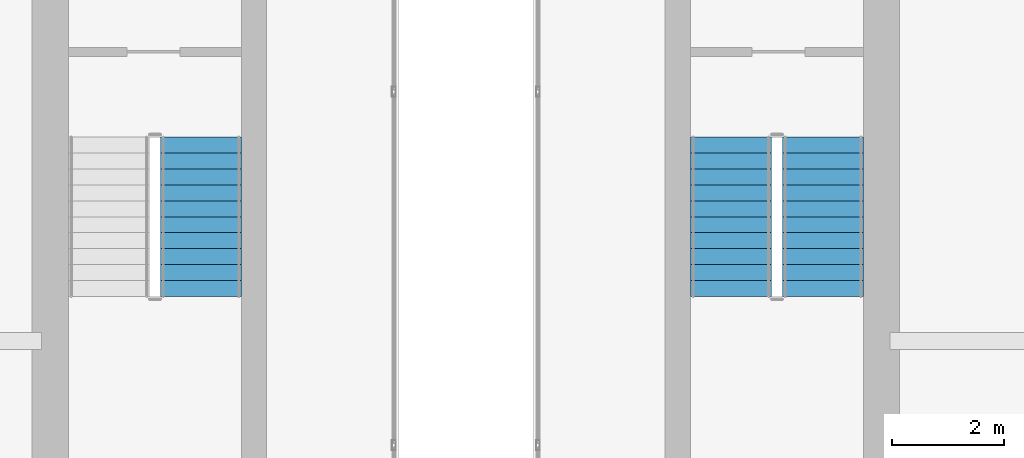
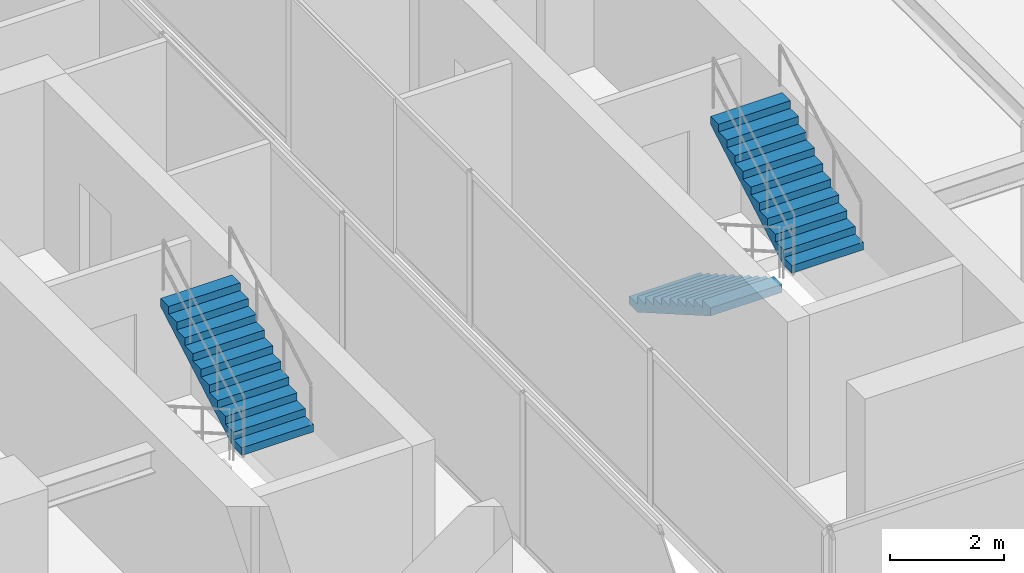
# One storey, part 24 of 25: 3 stair flights, 2 elements without a shape of their own.
"""IFC4 building model written with IfcOpenShell, lengths in metres."""

from ifc_helpers import new_model, si_unit, direction, frame, origin, place, context, subcontext, project, spatial, polyline, outline, extrude, material, type_object, element, aggregate, save


model = new_model("IFC4")

# Units and contexts
model_context = context("Model", 3, precision=1e-05, world=origin(), true_north=direction((0.0, 1.0)))
body_context = subcontext(model_context, "Body", "Model", "MODEL_VIEW")
ifc_project = project(units=[si_unit("LENGTHUNIT", "METRE"), si_unit("AREAUNIT", "SQUARE_METRE"), si_unit("VOLUMEUNIT", "CUBIC_METRE"), si_unit("PLANEANGLEUNIT", "RADIAN"), si_unit("MASSUNIT", "GRAM", prefix="KILO")], contexts=[model_context])

# Site, building, storey
site_placement = place(None, origin())
site = spatial("IfcSite", under=ifc_project, at=site_placement, CompositionType="ELEMENT")
building_placement = place(site_placement, origin())
building = spatial("IfcBuilding", under=site, at=building_placement, Name="Krantzveldt Concourse Tower", CompositionType="ELEMENT")
storey_placement = place(building_placement, frame((0.0, 0.0, 374.64990234375)))
storey = spatial("IfcBuildingStorey", under=building, at=storey_placement, Name="L92", CompositionType="ELEMENT", Elevation=374.64990234375)

# Stair, stair flight
ifc_material = material(Name="Precast concrete C40/50", Category="concrete")
stair_type = type_object("IfcStairType", Name="STR-CORE-DOGLEG", PredefinedType="HALF_TURN_STAIR", material=ifc_material)
stair_1_placement = place(storey_placement, origin())
stair_1 = element("IfcStair", 1, at=stair_1_placement, inside=storey, type_object=stair_type, Name="L92 Protected Escape Stair ST-1", PredefinedType="HALF_TURN_STAIR")
stair_flight_type = type_object("IfcStairFlightType", Name="STF-CORE-1450", PredefinedType="STRAIGHT", material=ifc_material)
stair_flight_1_placement = place(storey_placement, frame((31.2548828125, 16.699951171875, 1.800048828125), z_axis=(0.0, 0.0, 1.0), x_axis=(0.0, 1.0, 0.0)))
stair_flight_1 = element("IfcStairFlight", 2, at=stair_flight_1_placement, type_object=stair_flight_type, Name="ST-1 flight 2", NumberOfRisers=11, NumberOfTreads=10, PredefinedType="STRAIGHT", RiserHeight=0.163636364, TreadLength=0.285, context=body_context, shape_type="SweptSolid", body=[
    extrude(outline(polyline([(0.0, 0.0), (0.0, 0.16357421875), (0.284912109375, 0.16357421875), (0.284912109375, 0.327392578125), (0.570068359375, 0.327392578125), (0.570068359375, 0.490966796875), (0.85498046875, 0.490966796875), (0.85498046875, 0.654541015625), (1.139892578125, 0.654541015625), (1.139892578125, 0.818115234375), (1.425048828125, 0.818115234375), (1.425048828125, 0.98193359375), (1.7099609375, 0.98193359375), (1.7099609375, 1.1455078125), (1.9951171875, 1.1455078125), (1.9951171875, 1.30908203125), (2.280029296875, 1.30908203125), (2.280029296875, 1.47265625), (2.56494140625, 1.47265625), (2.56494140625, 1.636474609375), (2.85009765625, 1.636474609375), (2.85009765625, 1.800048828125), (2.85009765625, 1.463623046875), (0.301025390625, 0.0), (0.0, 0.0)])), frame((0.0, 0.72509765625, 0.0), z_axis=(0.0, -1.0, 0.0), x_axis=(1.0, 0.0, 0.0)), (0.0, 0.0, 1.0), 1.449951171875),
])
aggregate(stair_1, [stair_flight_1])

# Stair, stair flights
stair_2_placement = place(storey_placement, origin())
stair_2 = element("IfcStair", 3, at=stair_2_placement, inside=storey, type_object=stair_type, Name="L92 Protected Escape Stair ST-2", PredefinedType="HALF_TURN_STAIR")
stair_flight_2_placement = place(storey_placement, frame((40.7451171875, 19.550048828125, 0.0), z_axis=(0.0, 0.0, 1.0), x_axis=(0.0, -1.0, 0.0)))
stair_flight_2 = element("IfcStairFlight", 4, at=stair_flight_2_placement, type_object=stair_flight_type, Name="ST-2 flight 1", NumberOfRisers=11, NumberOfTreads=10, PredefinedType="STRAIGHT", RiserHeight=0.163636364, TreadLength=0.285, context=body_context, shape_type="SweptSolid", body=[
    extrude(outline(polyline([(0.0, 0.0), (0.0, 0.16357421875), (0.284912109375, 0.16357421875), (0.284912109375, 0.327392578125), (0.570068359375, 0.327392578125), (0.570068359375, 0.490966796875), (0.85498046875, 0.490966796875), (0.85498046875, 0.654541015625), (1.139892578125, 0.654541015625), (1.139892578125, 0.818115234375), (1.425048828125, 0.818115234375), (1.425048828125, 0.98193359375), (1.7099609375, 0.98193359375), (1.7099609375, 1.1455078125), (1.9951171875, 1.1455078125), (1.9951171875, 1.30908203125), (2.280029296875, 1.30908203125), (2.280029296875, 1.47265625), (2.56494140625, 1.47265625), (2.56494140625, 1.636474609375), (2.85009765625, 1.636474609375), (2.85009765625, 1.800048828125), (2.85009765625, 1.463623046875), (0.301025390625, 0.0), (0.0, 0.0)])), frame((0.0, 0.72509765625, 0.0), z_axis=(0.0, -1.0, 0.0), x_axis=(1.0, 0.0, 0.0)), (0.0, 0.0, 1.0), 1.449951171875),
])
stair_flight_3_placement = place(storey_placement, frame((42.39501953125, 16.699951171875, 1.800048828125), z_axis=(0.0, 0.0, 1.0), x_axis=(0.0, 1.0, 0.0)))
stair_flight_3 = element("IfcStairFlight", 5, at=stair_flight_3_placement, type_object=stair_flight_type, Name="ST-2 flight 2", NumberOfRisers=11, NumberOfTreads=10, PredefinedType="STRAIGHT", RiserHeight=0.163636364, TreadLength=0.285, context=body_context, shape_type="SweptSolid", body=[
    extrude(outline(polyline([(0.0, 0.0), (0.0, 0.16357421875), (0.284912109375, 0.16357421875), (0.284912109375, 0.327392578125), (0.570068359375, 0.327392578125), (0.570068359375, 0.490966796875), (0.85498046875, 0.490966796875), (0.85498046875, 0.654541015625), (1.139892578125, 0.654541015625), (1.139892578125, 0.818115234375), (1.425048828125, 0.818115234375), (1.425048828125, 0.98193359375), (1.7099609375, 0.98193359375), (1.7099609375, 1.1455078125), (1.9951171875, 1.1455078125), (1.9951171875, 1.30908203125), (2.280029296875, 1.30908203125), (2.280029296875, 1.47265625), (2.56494140625, 1.47265625), (2.56494140625, 1.636474609375), (2.85009765625, 1.636474609375), (2.85009765625, 1.800048828125), (2.85009765625, 1.463623046875), (0.301025390625, 0.0), (0.0, 0.0)])), frame((0.0, 0.72509765625, 0.0), z_axis=(0.0, -1.0, 0.0), x_axis=(1.0, 0.0, 0.0)), (0.0, 0.0, 1.0), 1.449951171875),
])
aggregate(stair_2, [stair_flight_2, stair_flight_3])

save(model, "model.ifc")
